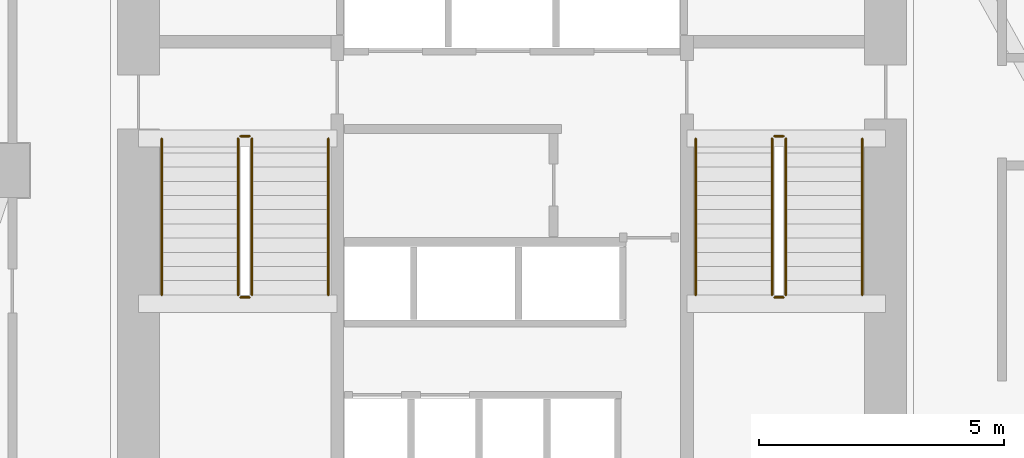
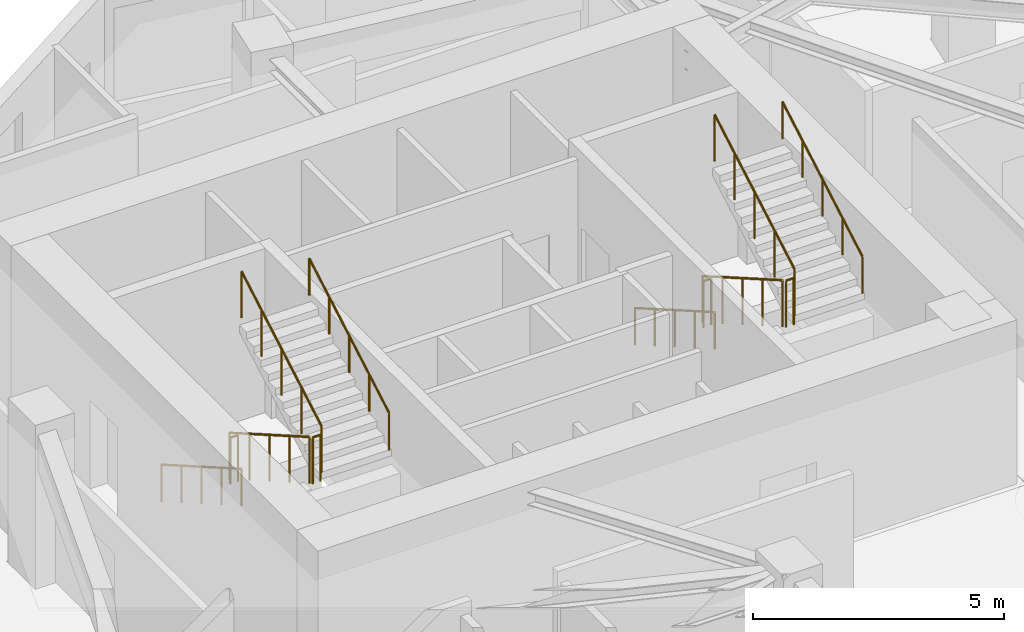
# One storey, part 9 of 9: 12 railings.
"""IFC4 building model written with IfcOpenShell, lengths in metres."""

from ifc_helpers import new_model, si_unit, direction, frame, origin, origin_2d, place, context, subcontext, project, spatial, circle, extrude, material, type_object, element, save


model = new_model("IFC4")

# Units and contexts
model_context = context("Model", 3, precision=1e-05, world=origin(), true_north=direction((0.0, 1.0)))
body_context = subcontext(model_context, "Body", "Model", "MODEL_VIEW")
ifc_project = project(units=[si_unit("LENGTHUNIT", "METRE"), si_unit("AREAUNIT", "SQUARE_METRE"), si_unit("VOLUMEUNIT", "CUBIC_METRE"), si_unit("PLANEANGLEUNIT", "RADIAN"), si_unit("MASSUNIT", "GRAM", prefix="KILO")], contexts=[model_context])

# Site, building, storey
site_placement = place(None, origin())
site = spatial("IfcSite", under=ifc_project, at=site_placement, CompositionType="ELEMENT")
building_placement = place(site_placement, origin())
building = spatial("IfcBuilding", under=site, at=building_placement, Name="Calvemar Wedge Station Tower", CompositionType="ELEMENT")
storey_placement = place(building_placement, frame((0.0, 0.0, 91.0)))
storey = spatial("IfcBuildingStorey", under=building, at=storey_placement, Name="L22", CompositionType="ELEMENT", Elevation=91.0)

# Railings
ifc_material_1 = material(Name="Stainless steel AISI 316L", Category="steel")
railing_type_1 = type_object("IfcRailingType", Name="RL-HANDRAIL-920", PredefinedType="HANDRAIL", material=ifc_material_1)
railing_1_placement = place(storey_placement, frame((16.64990234375, 41.14990234375, 0.166748046875)))
element("IfcRailing", 1, at=railing_1_placement, inside=storey, type_object=railing_type_1, Name="L22 ST-C1 stair handrail 1", PredefinedType="HANDRAIL", context=body_context, shape_type="SweptSolid", body=[
    extrude(circle(Radius=0.02392578125, at=origin_2d()), frame((0.0, 0.0, 0.89599609375), z_axis=(0.0, -0.867019545617, 0.498274128887), x_axis=(1.0, 0.0, 0.0)), (0.0, 0.0, 1.0), 3.67919921875),
    extrude(circle(Radius=0.02099609375, at=origin_2d()), origin(), (0.0, 0.0, 1.0), 0.871826171875),
    extrude(circle(Radius=0.02099609375, at=origin_2d()), frame((0.0, -0.79736328125, 0.458251953125)), (0.0, 0.0, 1.0), 0.871826171875),
    extrude(circle(Radius=0.02099609375, at=origin_2d()), frame((0.0, -1.594970703125, 0.91650390625)), (0.0, 0.0, 1.0), 0.871826171875),
    extrude(circle(Radius=0.02099609375, at=origin_2d()), frame((0.0, -2.392578125, 1.375)), (0.0, 0.0, 1.0), 0.871826171875),
    extrude(circle(Radius=0.02099609375, at=origin_2d()), frame((0.0, -3.18994140625, 1.833251953125)), (0.0, 0.0, 1.0), 0.871826171875),
])
railing_2_placement = place(storey_placement, frame((20.050048828125, 37.9599609375, 2.166748046875)))
element("IfcRailing", 2, at=railing_2_placement, inside=storey, type_object=railing_type_1, Name="L22 ST-C1 stair handrail 2", PredefinedType="HANDRAIL", context=body_context, shape_type="SweptSolid", body=[
    extrude(circle(Radius=0.02392578125, at=origin_2d()), frame((0.0, 0.0, 0.89599609375), z_axis=(0.0, 0.867019545617, 0.498274128887), x_axis=(-1.0, 0.0, 0.0)), (0.0, 0.0, 1.0), 3.67919921875),
    extrude(circle(Radius=0.02099609375, at=origin_2d()), origin(), (0.0, 0.0, 1.0), 0.871826171875),
    extrude(circle(Radius=0.02099609375, at=origin_2d()), frame((0.0, 0.79736328125, 0.458251953125)), (0.0, 0.0, 1.0), 0.871826171875),
    extrude(circle(Radius=0.02099609375, at=origin_2d()), frame((0.0, 1.594970703125, 0.91650390625)), (0.0, 0.0, 1.0), 0.871826171875),
    extrude(circle(Radius=0.02099609375, at=origin_2d()), frame((0.0, 2.392578125, 1.375)), (0.0, 0.0, 1.0), 0.871826171875),
    extrude(circle(Radius=0.02099609375, at=origin_2d()), frame((0.0, 3.18994140625, 1.833251953125)), (0.0, 0.0, 1.0), 0.871826171875),
])
railing_3_placement = place(storey_placement, frame((27.550048828125, 41.14990234375, 0.166748046875)))
element("IfcRailing", 3, at=railing_3_placement, inside=storey, type_object=railing_type_1, Name="L22 ST-C2 stair handrail 1", PredefinedType="HANDRAIL", context=body_context, shape_type="SweptSolid", body=[
    extrude(circle(Radius=0.02392578125, at=origin_2d()), frame((0.0, 0.0, 0.89599609375), z_axis=(0.0, -0.867019545617, 0.498274128887), x_axis=(1.0, 0.0, 0.0)), (0.0, 0.0, 1.0), 3.67919921875),
    extrude(circle(Radius=0.02099609375, at=origin_2d()), origin(), (0.0, 0.0, 1.0), 0.871826171875),
    extrude(circle(Radius=0.02099609375, at=origin_2d()), frame((0.0, -0.79736328125, 0.458251953125)), (0.0, 0.0, 1.0), 0.871826171875),
    extrude(circle(Radius=0.02099609375, at=origin_2d()), frame((0.0, -1.594970703125, 0.91650390625)), (0.0, 0.0, 1.0), 0.871826171875),
    extrude(circle(Radius=0.02099609375, at=origin_2d()), frame((0.0, -2.392578125, 1.375)), (0.0, 0.0, 1.0), 0.871826171875),
    extrude(circle(Radius=0.02099609375, at=origin_2d()), frame((0.0, -3.18994140625, 1.833251953125)), (0.0, 0.0, 1.0), 0.871826171875),
])
railing_4_placement = place(storey_placement, frame((30.949951171875, 37.9599609375, 2.166748046875)))
element("IfcRailing", 4, at=railing_4_placement, inside=storey, type_object=railing_type_1, Name="L22 ST-C2 stair handrail 2", PredefinedType="HANDRAIL", context=body_context, shape_type="SweptSolid", body=[
    extrude(circle(Radius=0.02392578125, at=origin_2d()), frame((0.0, 0.0, 0.89599609375), z_axis=(0.0, 0.867019545617, 0.498274128887), x_axis=(-1.0, 0.0, 0.0)), (0.0, 0.0, 1.0), 3.67919921875),
    extrude(circle(Radius=0.02099609375, at=origin_2d()), origin(), (0.0, 0.0, 1.0), 0.871826171875),
    extrude(circle(Radius=0.02099609375, at=origin_2d()), frame((0.0, 0.79736328125, 0.458251953125)), (0.0, 0.0, 1.0), 0.871826171875),
    extrude(circle(Radius=0.02099609375, at=origin_2d()), frame((0.0, 1.594970703125, 0.91650390625)), (0.0, 0.0, 1.0), 0.871826171875),
    extrude(circle(Radius=0.02099609375, at=origin_2d()), frame((0.0, 2.392578125, 1.375)), (0.0, 0.0, 1.0), 0.871826171875),
    extrude(circle(Radius=0.02099609375, at=origin_2d()), frame((0.0, 3.18994140625, 1.833251953125)), (0.0, 0.0, 1.0), 0.871826171875),
])
ifc_material_2 = material(Name="Painted steel guardrail ASTM A500 Grade C", Category="steel")
railing_type_2 = type_object("IfcRailingType", Name="RL-STAIR-GUARD-1150", PredefinedType="GUARDRAIL", material=ifc_material_2)
railing_5_placement = place(storey_placement, frame((18.2099609375, 41.14990234375, 0.166748046875)))
element("IfcRailing", 5, at=railing_5_placement, inside=storey, type_object=railing_type_2, Name="L22 ST-C1 stair guard 1", PredefinedType="GUARDRAIL", context=body_context, shape_type="SweptSolid", body=[
    extrude(circle(Radius=0.02392578125, at=origin_2d()), frame((0.0, 0.0, 1.1259765625), z_axis=(0.0, -0.867019545617, 0.498274128887), x_axis=(1.0, 0.0, 0.0)), (0.0, 0.0, 1.0), 3.67919921875),
    extrude(circle(Radius=0.02099609375, at=origin_2d()), origin(), (0.0, 0.0, 1.0), 1.101806640625),
    extrude(circle(Radius=0.02099609375, at=origin_2d()), frame((0.0, -0.79736328125, 0.458251953125)), (0.0, 0.0, 1.0), 1.101806640625),
    extrude(circle(Radius=0.02099609375, at=origin_2d()), frame((0.0, -1.594970703125, 0.91650390625)), (0.0, 0.0, 1.0), 1.101806640625),
    extrude(circle(Radius=0.02099609375, at=origin_2d()), frame((0.0, -2.392578125, 1.375)), (0.0, 0.0, 1.0), 1.101806640625),
    extrude(circle(Radius=0.02099609375, at=origin_2d()), frame((0.0, -3.18994140625, 1.833251953125)), (0.0, 0.0, 1.0), 1.101806640625),
])
railing_6_placement = place(storey_placement, frame((18.260009765625, 37.909912109375, 2.0)))
element("IfcRailing", 6, at=railing_6_placement, inside=storey, type_object=railing_type_2, Name="L22 ST-C1 stair guard 2", PredefinedType="GUARDRAIL", context=body_context, shape_type="SweptSolid", body=[
    extrude(circle(Radius=0.02392578125, at=origin_2d()), frame((0.0, 0.0, 1.1259765625), z_axis=(1.0, 0.0, 0.0), x_axis=(0.0, 1.0, 0.0)), (0.0, 0.0, 1.0), 0.179931640625),
    extrude(circle(Radius=0.02099609375, at=origin_2d()), origin(), (0.0, 0.0, 1.0), 1.101806640625),
    extrude(circle(Radius=0.02099609375, at=origin_2d()), frame((0.179931640625, 0.0, 0.0)), (0.0, 0.0, 1.0), 1.101806640625),
])
railing_7_placement = place(storey_placement, frame((18.489990234375, 37.9599609375, 2.166748046875)))
element("IfcRailing", 7, at=railing_7_placement, inside=storey, type_object=railing_type_2, Name="L22 ST-C1 stair guard 3", PredefinedType="GUARDRAIL", context=body_context, shape_type="SweptSolid", body=[
    extrude(circle(Radius=0.02392578125, at=origin_2d()), frame((0.0, 0.0, 1.1259765625), z_axis=(0.0, 0.867019545617, 0.498274128887), x_axis=(-1.0, 0.0, 0.0)), (0.0, 0.0, 1.0), 3.67919921875),
    extrude(circle(Radius=0.02099609375, at=origin_2d()), origin(), (0.0, 0.0, 1.0), 1.101806640625),
    extrude(circle(Radius=0.02099609375, at=origin_2d()), frame((0.0, 0.79736328125, 0.458251953125)), (0.0, 0.0, 1.0), 1.101806640625),
    extrude(circle(Radius=0.02099609375, at=origin_2d()), frame((0.0, 1.594970703125, 0.91650390625)), (0.0, 0.0, 1.0), 1.101806640625),
    extrude(circle(Radius=0.02099609375, at=origin_2d()), frame((0.0, 2.392578125, 1.375)), (0.0, 0.0, 1.0), 1.101806640625),
    extrude(circle(Radius=0.02099609375, at=origin_2d()), frame((0.0, 3.18994140625, 1.833251953125)), (0.0, 0.0, 1.0), 1.101806640625),
])
railing_8_placement = place(storey_placement, frame((18.260009765625, 41.199951171875, 0.0)))
element("IfcRailing", 8, at=railing_8_placement, inside=storey, type_object=railing_type_2, Name="L22 ST-C1 stair guard 4", PredefinedType="GUARDRAIL", context=body_context, shape_type="SweptSolid", body=[
    extrude(circle(Radius=0.02392578125, at=origin_2d()), frame((0.0, 0.0, 1.1259765625), z_axis=(1.0, 0.0, 0.0), x_axis=(0.0, 1.0, 0.0)), (0.0, 0.0, 1.0), 0.179931640625),
    extrude(circle(Radius=0.02099609375, at=origin_2d()), origin(), (0.0, 0.0, 1.0), 1.101806640625),
    extrude(circle(Radius=0.02099609375, at=origin_2d()), frame((0.179931640625, 0.0, 0.0)), (0.0, 0.0, 1.0), 1.101806640625),
])
railing_9_placement = place(storey_placement, frame((29.110107421875, 41.14990234375, 0.166748046875)))
element("IfcRailing", 9, at=railing_9_placement, inside=storey, type_object=railing_type_2, Name="L22 ST-C2 stair guard 1", PredefinedType="GUARDRAIL", context=body_context, shape_type="SweptSolid", body=[
    extrude(circle(Radius=0.02392578125, at=origin_2d()), frame((0.0, 0.0, 1.1259765625), z_axis=(0.0, -0.867019545617, 0.498274128887), x_axis=(1.0, 0.0, 0.0)), (0.0, 0.0, 1.0), 3.67919921875),
    extrude(circle(Radius=0.02099609375, at=origin_2d()), origin(), (0.0, 0.0, 1.0), 1.101806640625),
    extrude(circle(Radius=0.02099609375, at=origin_2d()), frame((0.0, -0.79736328125, 0.458251953125)), (0.0, 0.0, 1.0), 1.101806640625),
    extrude(circle(Radius=0.02099609375, at=origin_2d()), frame((0.0, -1.594970703125, 0.91650390625)), (0.0, 0.0, 1.0), 1.101806640625),
    extrude(circle(Radius=0.02099609375, at=origin_2d()), frame((0.0, -2.392578125, 1.375)), (0.0, 0.0, 1.0), 1.101806640625),
    extrude(circle(Radius=0.02099609375, at=origin_2d()), frame((0.0, -3.18994140625, 1.833251953125)), (0.0, 0.0, 1.0), 1.101806640625),
])
railing_10_placement = place(storey_placement, frame((29.159912109375, 37.909912109375, 2.0)))
element("IfcRailing", 10, at=railing_10_placement, inside=storey, type_object=railing_type_2, Name="L22 ST-C2 stair guard 2", PredefinedType="GUARDRAIL", context=body_context, shape_type="SweptSolid", body=[
    extrude(circle(Radius=0.02392578125, at=origin_2d()), frame((0.0, 0.0, 1.1259765625), z_axis=(1.0, 0.0, 0.0), x_axis=(0.0, 1.0, 0.0)), (0.0, 0.0, 1.0), 0.18017578125),
    extrude(circle(Radius=0.02099609375, at=origin_2d()), origin(), (0.0, 0.0, 1.0), 1.101806640625),
    extrude(circle(Radius=0.02099609375, at=origin_2d()), frame((0.18017578125, 0.0, 0.0)), (0.0, 0.0, 1.0), 1.101806640625),
])
railing_11_placement = place(storey_placement, frame((29.389892578125, 37.9599609375, 2.166748046875)))
element("IfcRailing", 11, at=railing_11_placement, inside=storey, type_object=railing_type_2, Name="L22 ST-C2 stair guard 3", PredefinedType="GUARDRAIL", context=body_context, shape_type="SweptSolid", body=[
    extrude(circle(Radius=0.02392578125, at=origin_2d()), frame((0.0, 0.0, 1.1259765625), z_axis=(0.0, 0.867019545617, 0.498274128887), x_axis=(-1.0, 0.0, 0.0)), (0.0, 0.0, 1.0), 3.67919921875),
    extrude(circle(Radius=0.02099609375, at=origin_2d()), origin(), (0.0, 0.0, 1.0), 1.101806640625),
    extrude(circle(Radius=0.02099609375, at=origin_2d()), frame((0.0, 0.79736328125, 0.458251953125)), (0.0, 0.0, 1.0), 1.101806640625),
    extrude(circle(Radius=0.02099609375, at=origin_2d()), frame((0.0, 1.594970703125, 0.91650390625)), (0.0, 0.0, 1.0), 1.101806640625),
    extrude(circle(Radius=0.02099609375, at=origin_2d()), frame((0.0, 2.392578125, 1.375)), (0.0, 0.0, 1.0), 1.101806640625),
    extrude(circle(Radius=0.02099609375, at=origin_2d()), frame((0.0, 3.18994140625, 1.833251953125)), (0.0, 0.0, 1.0), 1.101806640625),
])
railing_12_placement = place(storey_placement, frame((29.159912109375, 41.199951171875, 0.0)))
element("IfcRailing", 12, at=railing_12_placement, inside=storey, type_object=railing_type_2, Name="L22 ST-C2 stair guard 4", PredefinedType="GUARDRAIL", context=body_context, shape_type="SweptSolid", body=[
    extrude(circle(Radius=0.02392578125, at=origin_2d()), frame((0.0, 0.0, 1.1259765625), z_axis=(1.0, 0.0, 0.0), x_axis=(0.0, 1.0, 0.0)), (0.0, 0.0, 1.0), 0.18017578125),
    extrude(circle(Radius=0.02099609375, at=origin_2d()), origin(), (0.0, 0.0, 1.0), 1.101806640625),
    extrude(circle(Radius=0.02099609375, at=origin_2d()), frame((0.18017578125, 0.0, 0.0)), (0.0, 0.0, 1.0), 1.101806640625),
])

save(model, "model.ifc")
